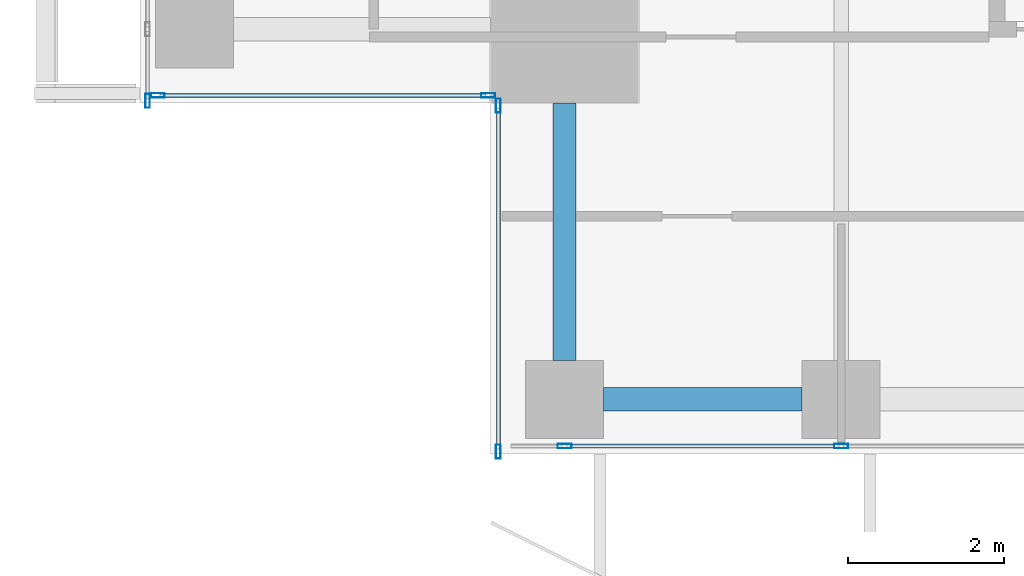
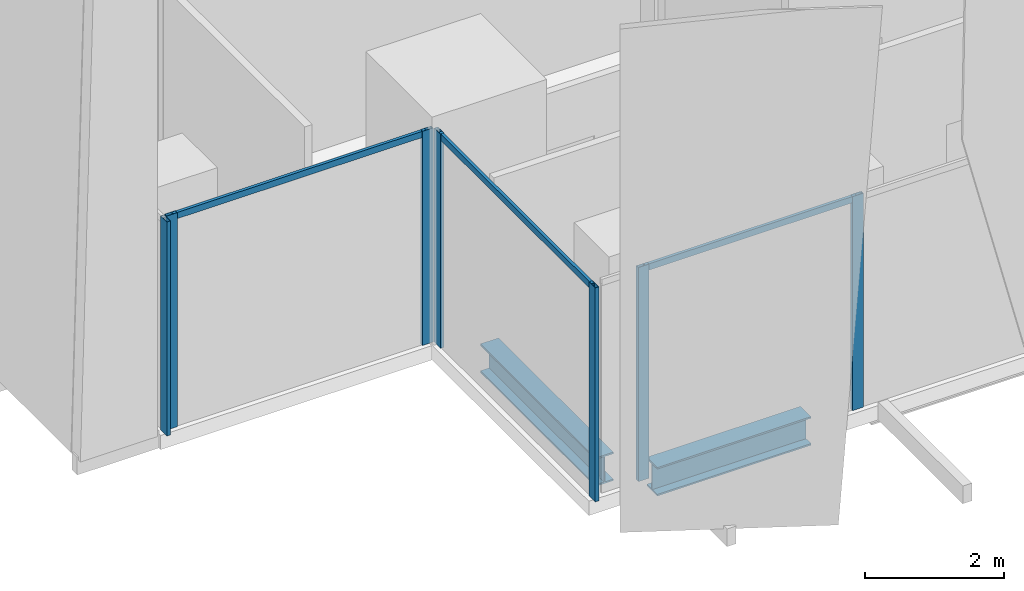
# One storey, part 2 of 35: 10 members, 2 beams, 4 elements without a shape of their own.
"""IFC4 building model written with IfcOpenShell, lengths in metres."""

from ifc_helpers import new_model, si_unit, direction, frame, origin, origin_2d, place, context, subcontext, project, spatial, hollow_rectangle, i_section, extrude, source, transform, mapped, material, material_profile, profile_set, type_object, element, aggregate, save


model = new_model("IFC4")

# Units and contexts
model_context = context("Model", 3, precision=1e-05, world=origin(), true_north=direction((0.0, 1.0)))
body_context = subcontext(model_context, "Body", "Model", "MODEL_VIEW")
ifc_project = project(units=[si_unit("LENGTHUNIT", "METRE"), si_unit("AREAUNIT", "SQUARE_METRE"), si_unit("VOLUMEUNIT", "CUBIC_METRE"), si_unit("PLANEANGLEUNIT", "RADIAN"), si_unit("MASSUNIT", "GRAM", prefix="KILO")], contexts=[model_context])

# Site, building, storey
site_placement = place(None, origin())
site = spatial("IfcSite", under=ifc_project, at=site_placement, CompositionType="ELEMENT")
building_placement = place(site_placement, origin())
building = spatial("IfcBuilding", under=site, at=building_placement, Name="Khomas Fold Tower", CompositionType="ELEMENT")
storey_placement = place(building_placement, frame((0.0, 0.0, 212.699951171875)))
storey = spatial("IfcBuildingStorey", under=building, at=storey_placement, Name="L47", CompositionType="ELEMENT", Elevation=212.699951171875)

# Beams
ifc_material_1 = material(Name="Steel S355", Category="steel")
ifc_material_profile_1 = material_profile(ifc_material_1, i_section(OverallWidth=0.300048828125, OverallDepth=0.5, WebThickness=0.014404296875, FlangeThickness=0.028076171875, at=origin_2d()), Name="HE 500 B")
ifc_profile_set_1 = profile_set([ifc_material_profile_1], Name="Steel S355")
beam_type = type_object("IfcBeamType", Name="HE 500 B spandrel SB3", PredefinedType="SPANDREL", material=ifc_profile_set_1)
shared_shape_1 = source(origin(), body_context, "Body", "SweptSolid", [
    extrude(i_section(OverallWidth=0.300048828125, OverallDepth=0.5, WebThickness=0.014404296875, FlangeThickness=0.028076171875, at=origin_2d()), origin(), (0.0, 0.0, 1.0), 2.550048828125),
])
beam_1_placement = place(storey_placement, frame((8.949951171875, 3.699951171875, -0.5), z_axis=(1.0, 0.0, 0.0), x_axis=(0.0, 1.0, 0.0)))
element("IfcBeam", 1, at=beam_1_placement, inside=storey, type_object=beam_type, Name="SB3", PredefinedType="SPANDREL", context=body_context, shape_type="MappedRepresentation", body=[
    mapped(shared_shape_1, transform((0.0, 0.0, 0.0))),
])
shared_shape_2 = source(origin(), body_context, "Body", "SweptSolid", [
    extrude(i_section(OverallWidth=0.300048828125, OverallDepth=0.5, WebThickness=0.014404296875, FlangeThickness=0.028076171875, at=origin_2d()), origin(), (0.0, 0.0, 1.0), 3.300048828125),
])
beam_2_placement = place(storey_placement, frame((8.449951171875, 4.199951171875, -0.5), z_axis=(0.0, 1.0, 0.0), x_axis=(-1.0, 0.0, 0.0)))
element("IfcBeam", 2, at=beam_2_placement, inside=storey, type_object=beam_type, Name="SB3", PredefinedType="SPANDREL", context=body_context, shape_type="MappedRepresentation", body=[
    mapped(shared_shape_2, transform((0.0, 0.0, 0.0))),
])

# Curtain wall, members
ifc_material_2 = material(Name="Aluminium framed double glazing", Category="aluminium")
curtain_wall_type = type_object("IfcCurtainWallType", Name="SK-Unitised clear-glass wall, office floors CW2", PredefinedType="NOTDEFINED", material=ifc_material_2)
curtain_wall_1_placement = place(storey_placement, origin())
curtain_wall_1 = element("IfcCurtainWall", 3, at=curtain_wall_1_placement, inside=storey, type_object=curtain_wall_type, Name="CW2 run L47 00-0", PredefinedType="NOTDEFINED")
ifc_material_3 = material(Name="Aluminium", Category="aluminium")
ifc_material_profile_2 = material_profile(ifc_material_3, hollow_rectangle(XDim=0.06005859375, YDim=0.179931640625, WallThickness=0.00390625, at=origin_2d()), Name="SK-Unitised clear-glass wall, office floors mullion CW2-M")
ifc_profile_set_2 = profile_set([ifc_material_profile_2], Name="Aluminium")
member_type_1 = type_object("IfcMemberType", Name="SK-Unitised clear-glass wall, office floors mullion CW2-M", PredefinedType="MULLION", material=ifc_profile_set_2)
shared_shape_3 = source(origin(), body_context, "Body", "SweptSolid", [
    extrude(hollow_rectangle(XDim=0.06005859375, YDim=0.179931640625, WallThickness=0.00390625, at=origin_2d()), origin(), (0.0, 0.0, 1.0), 3.75),
])
member_1_placement = place(storey_placement, frame((8.449951171875, 3.10009765625, 0.0), z_axis=(0.0, 0.0, 1.0), x_axis=(0.0, 1.0, 0.0)))
member_1 = element("IfcMember", 4, at=member_1_placement, type_object=member_type_1, Name="CW2 mullion 2", PredefinedType="MULLION", context=body_context, shape_type="MappedRepresentation", body=[
    mapped(shared_shape_3, transform((0.0, 0.0, 0.0))),
])
member_2_placement = place(storey_placement, frame((12.0, 3.10009765625, 0.0), z_axis=(0.0, 0.0, 1.0), x_axis=(0.0, 1.0, 0.0)))
member_2 = element("IfcMember", 5, at=member_2_placement, type_object=member_type_1, Name="CW2 mullion 3", PredefinedType="MULLION", context=body_context, shape_type="MappedRepresentation", body=[
    mapped(shared_shape_3, transform((0.0, 0.0, 0.0))),
])

# Curtain wall, member
curtain_wall_2_placement = place(storey_placement, origin())
curtain_wall_2 = element("IfcCurtainWall", 6, at=curtain_wall_2_placement, inside=storey, type_object=curtain_wall_type, Name="CW2 run L47 09-0", PredefinedType="NOTDEFINED")
member_3_placement = place(storey_placement, frame((3.10009765625, 7.530029296875, 0.0), z_axis=(0.0, 0.0, 1.0), x_axis=(1.0, 0.0, 0.0)))
member_3 = element("IfcMember", 7, at=member_3_placement, type_object=member_type_1, Name="CW2 mullion 9", PredefinedType="MULLION", context=body_context, shape_type="MappedRepresentation", body=[
    mapped(shared_shape_3, transform((0.0, 0.0, 0.0))),
])
aggregate(curtain_wall_2, [member_3])

# Curtain wall, members
curtain_wall_3_placement = place(storey_placement, origin())
curtain_wall_3 = element("IfcCurtainWall", 8, at=curtain_wall_3_placement, inside=storey, type_object=curtain_wall_type, Name="CW2 corner return L47 10", PredefinedType="NOTDEFINED")
member_4_placement = place(storey_placement, frame((3.22998046875, 7.60009765625, 0.0), z_axis=(0.0, 0.0, 1.0), x_axis=(0.0, 1.0, 0.0)))
member_4 = element("IfcMember", 9, at=member_4_placement, type_object=member_type_1, Name="CW2 mullion 1", PredefinedType="MULLION", context=body_context, shape_type="MappedRepresentation", body=[
    mapped(shared_shape_3, transform((0.0, 0.0, 0.0))),
])
member_5_placement = place(storey_placement, frame((7.469970703125, 7.60009765625, 0.0), z_axis=(0.0, 0.0, 1.0), x_axis=(0.0, 1.0, 0.0)))
member_5 = element("IfcMember", 10, at=member_5_placement, type_object=member_type_1, Name="CW2 mullion 2", PredefinedType="MULLION", context=body_context, shape_type="MappedRepresentation", body=[
    mapped(shared_shape_3, transform((0.0, 0.0, 0.0))),
])

curtain_wall_4_placement = place(storey_placement, origin())
curtain_wall_4 = element("IfcCurtainWall", 11, at=curtain_wall_4_placement, inside=storey, type_object=curtain_wall_type, Name="CW2 corner return L47 11", PredefinedType="NOTDEFINED")
member_6_placement = place(storey_placement, frame((7.60009765625, 7.469970703125, 0.0), z_axis=(0.0, 0.0, 1.0), x_axis=(1.0, 0.0, 0.0)))
member_6 = element("IfcMember", 12, at=member_6_placement, type_object=member_type_1, Name="CW2 mullion 1", PredefinedType="MULLION", context=body_context, shape_type="MappedRepresentation", body=[
    mapped(shared_shape_3, transform((0.0, 0.0, 0.0))),
])
member_7_placement = place(storey_placement, frame((7.60009765625, 3.030029296875, 0.0), z_axis=(0.0, 0.0, 1.0), x_axis=(1.0, 0.0, 0.0)))
member_7 = element("IfcMember", 13, at=member_7_placement, type_object=member_type_1, Name="CW2 mullion 2", PredefinedType="MULLION", context=body_context, shape_type="MappedRepresentation", body=[
    mapped(shared_shape_3, transform((0.0, 0.0, 0.0))),
])
ifc_material_4 = material(Name="Aluminium", Category="aluminium")
ifc_material_profile_3 = material_profile(ifc_material_4, hollow_rectangle(XDim=0.050048828125, YDim=0.110107421875, WallThickness=0.00390625, at=origin_2d()), Name="SK-Unitised clear-glass wall, office floors transom CW2-T")
ifc_profile_set_3 = profile_set([ifc_material_profile_3], Name="Aluminium")
member_type_2 = type_object("IfcMemberType", Name="SK-Unitised clear-glass wall, office floors transom CW2-T", PredefinedType="USERDEFINED", material=ifc_profile_set_3)
shared_shape_4 = source(origin(), body_context, "Body", "SweptSolid", [
    extrude(hollow_rectangle(XDim=0.050048828125, YDim=0.110107421875, WallThickness=0.00390625, at=origin_2d()), origin(), (0.0, 0.0, 1.0), 4.3798828125),
])
member_8_placement = place(storey_placement, frame((7.60009765625, 7.43994140625, 3.695068359375), z_axis=(0.0, -1.0, 0.0), x_axis=(1.0, 0.0, 0.0)))
member_8 = element("IfcMember", 14, at=member_8_placement, type_object=member_type_2, Name="CW2 transom 1", ObjectType="TRANSOM", PredefinedType="USERDEFINED", context=body_context, shape_type="MappedRepresentation", body=[
    mapped(shared_shape_4, transform((0.0, 0.0, 0.0))),
])
aggregate(curtain_wall_4, [member_6, member_7, member_8])

# Member
shared_shape_5 = source(origin(), body_context, "Body", "SweptSolid", [
    extrude(hollow_rectangle(XDim=0.050048828125, YDim=0.110107421875, WallThickness=0.00390625, at=origin_2d()), origin(), (0.0, 0.0, 1.0), 3.489990234375),
])
member_9_placement = place(storey_placement, frame((8.47998046875, 3.10009765625, 3.695068359375), z_axis=(1.0, 0.0, 0.0), x_axis=(0.0, 1.0, 0.0)))
member_9 = element("IfcMember", 15, at=member_9_placement, type_object=member_type_2, Name="CW2 transom 2", ObjectType="TRANSOM", PredefinedType="USERDEFINED", context=body_context, shape_type="MappedRepresentation", body=[
    mapped(shared_shape_5, transform((0.0, 0.0, 0.0))),
])

aggregate(curtain_wall_1, [member_1, member_2, member_9])

shared_shape_6 = source(origin(), body_context, "Body", "SweptSolid", [
    extrude(hollow_rectangle(XDim=0.050048828125, YDim=0.110107421875, WallThickness=0.00390625, at=origin_2d()), origin(), (0.0, 0.0, 1.0), 4.179931640625),
])
member_10_placement = place(storey_placement, frame((3.260009765625, 7.60009765625, 3.695068359375), z_axis=(1.0, 0.0, 0.0), x_axis=(0.0, 1.0, 0.0)))
member_10 = element("IfcMember", 16, at=member_10_placement, type_object=member_type_2, Name="CW2 transom 1", ObjectType="TRANSOM", PredefinedType="USERDEFINED", context=body_context, shape_type="MappedRepresentation", body=[
    mapped(shared_shape_6, transform((0.0, 0.0, 0.0))),
])

aggregate(curtain_wall_3, [member_4, member_5, member_10])

save(model, "model.ifc")
